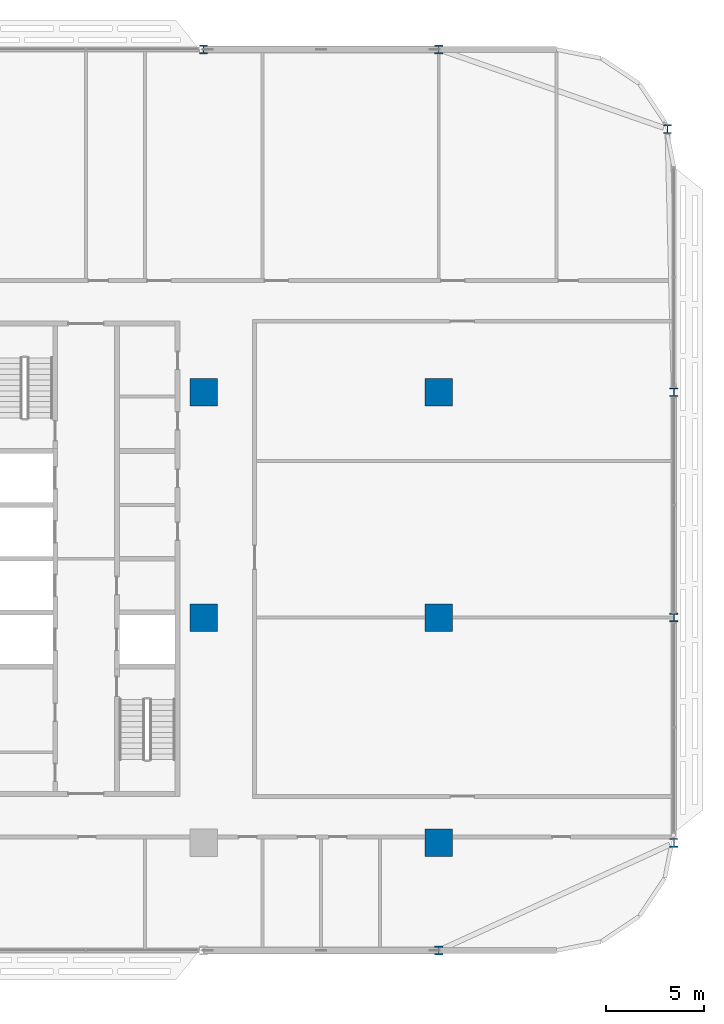
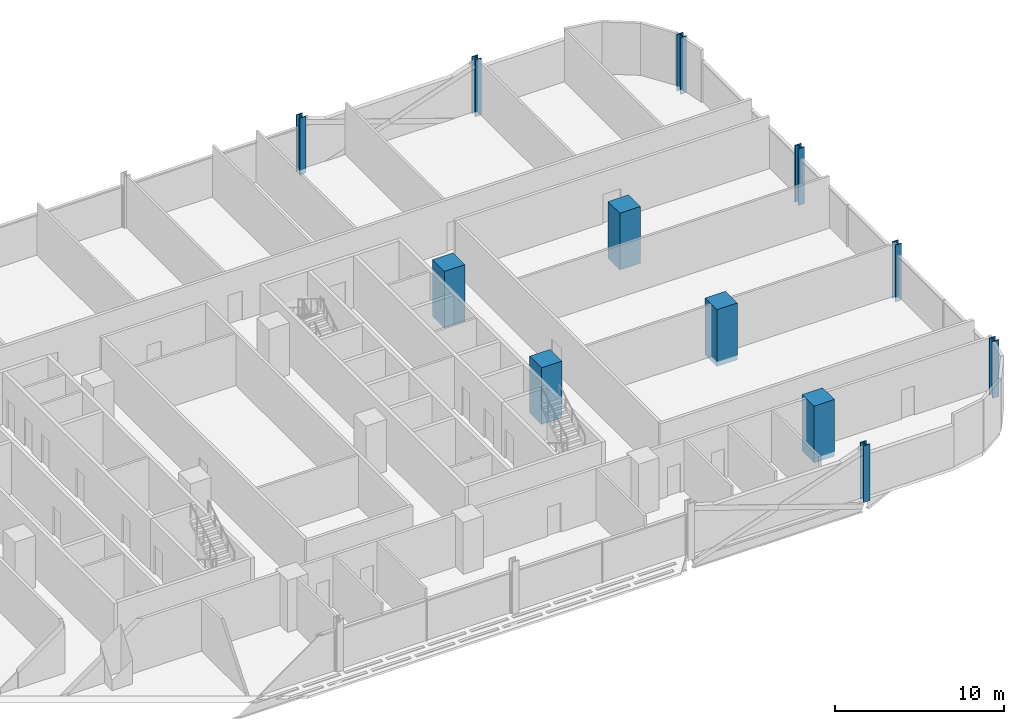
# One storey, part 2 of 29: 12 columns.
"""IFC4 building model written with IfcOpenShell, lengths in metres."""

import ifcopenshell
import ifcopenshell.guid

model = None  # the IFC model being written
_history = None  # IfcOwnerHistory: only IFC2X3 demands one
_inside = {}  # id of a spatial element -> (the spatial element, [elements in it])
_under = {}  # id of a project, library or spatial element -> (it, [spatial elements below it])
_declared = {}  # id of a project -> (the project, [libraries it declares])
_typed = {}  # id of a type object -> (the type object, [elements of that type])
_made_of = {}  # id of a material, layer set ... -> (it, [elements and type objects made of it])


def new_model(schema):
    """Start an empty IFC model of exactly this schema.

    Asked for "IFC4X3", IfcOpenShell would pick the latest addendum, in which some entities
    have other attributes; the version numbers below select the first issue.
    IFC2X3 requires an IfcOwnerHistory on every rooted entity: one is made here for all.
    """
    global model, _history
    if schema == "IFC4X3":
        model = ifcopenshell.file(schema_version=(4, 3, 0, 0))
    else:
        model = ifcopenshell.file(schema=schema)
    _inside.clear()
    _under.clear()
    _declared.clear()
    _typed.clear()
    _made_of.clear()
    _history = None
    if model.schema == "IFC2X3":
        org = make("IfcOrganization", Name="unknown")
        user = make(
            "IfcPersonAndOrganization",
            ThePerson=make("IfcPerson", FamilyName="unknown"),
            TheOrganization=org,
        )
        app = make(
            "IfcApplication",
            ApplicationDeveloper=org,
            Version="unknown",
            ApplicationFullName="unknown",
            ApplicationIdentifier="unknown",
        )
        _history = make(
            "IfcOwnerHistory",
            OwningUser=user,
            OwningApplication=app,
            ChangeAction="ADDED",
            CreationDate=0,
        )
    return model


def make(cls, **values):
    """One entity of the class cls with the attributes given. An attribute that is None is left unset."""
    return model.create_entity(
        cls, **{name: value for name, value in values.items() if value is not None}
    )


def rooted(cls, **values):
    """An entity with a GlobalId (a new one), such as an element, a storey or a relation."""
    return make(cls, GlobalId=ifcopenshell.guid.new(), OwnerHistory=_history, **values)


def si_unit(unit_type, name, prefix=None):
    """IfcSIUnit, for example si_unit("LENGTHUNIT", "METRE", prefix="MILLI")."""
    return make("IfcSIUnit", UnitType=unit_type, Prefix=prefix, Name=name)


def assignment(units):
    """IfcUnitAssignment: the units of a project."""
    return None if units is None else make("IfcUnitAssignment", Units=units)


def point(xyz):
    """IfcCartesianPoint."""
    return None if xyz is None else make("IfcCartesianPoint", Coordinates=xyz)


def direction(xyz):
    """IfcDirection."""
    return None if xyz is None else make("IfcDirection", DirectionRatios=xyz)


def frame(location, z_axis=None, x_axis=None):
    """IfcAxis2Placement3D, a coordinate frame: its origin and axes. An axis left out is left unset."""
    return make(
        "IfcAxis2Placement3D",
        Location=point(location),
        Axis=direction(z_axis),
        RefDirection=direction(x_axis),
    )


def frame_2d(location, x_axis=None):
    """IfcAxis2Placement2D, a coordinate frame in the plane: its origin and x axis."""
    return make(
        "IfcAxis2Placement2D", Location=point(location), RefDirection=direction(x_axis)
    )


def origin():
    """The frame at (0, 0, 0) with its axes left unset."""
    return frame((0.0, 0.0, 0.0))


def origin_2d():
    """The frame at (0, 0) in the plane with its x axis left unset."""
    return frame_2d((0.0, 0.0))


def place(relative_to, where):
    """IfcLocalPlacement: puts the frame where relative to a parent placement (None: the world)."""
    return make(
        "IfcLocalPlacement", PlacementRelTo=relative_to, RelativePlacement=where
    )


def context(
    kind, dimensions, precision=None, world=None, true_north=None, identifier=None
):
    """IfcGeometricRepresentationContext, for example the 3D "Model" context."""
    return make(
        "IfcGeometricRepresentationContext",
        ContextIdentifier=identifier,
        ContextType=kind,
        CoordinateSpaceDimension=dimensions,
        Precision=precision,
        WorldCoordinateSystem=world,
        TrueNorth=true_north,
    )


def subcontext(parent, identifier, kind, view, scale=None):
    """IfcGeometricRepresentationSubContext, for example "Body" below "Model"."""
    return make(
        "IfcGeometricRepresentationSubContext",
        ContextIdentifier=identifier,
        ContextType=kind,
        ParentContext=parent,
        TargetScale=scale,
        TargetView=view,
    )


def project(units=None, contexts=None):
    """IfcProject with its units and contexts."""
    return rooted(
        "IfcProject",
        Name="project",
        RepresentationContexts=contexts,
        UnitsInContext=assignment(units),
    )


def spatial(cls, under=None, at=None, **own):
    """A site, building, storey or space (cls), placed at a placement, below another one or the project."""
    s = rooted(cls, ObjectPlacement=at, **own)
    if under is not None:
        _under.setdefault(under.id(), (under, []))[1].append(s)
    return s


def profile(cls, at=None, kind="AREA", **sizes):
    """A parametric profile (cls). Its sizes go by their IFC names, for example OverallWidth=200.0."""
    return make(cls, ProfileType=kind, Position=at, **sizes)


def rectangle(**sizes):
    """IfcRectangleProfileDef."""
    return profile("IfcRectangleProfileDef", **sizes)


def i_section(**sizes):
    """IfcIShapeProfileDef."""
    return profile("IfcIShapeProfileDef", **sizes)


def extrude(swept, where, along, depth):
    """IfcExtrudedAreaSolid: the profile swept, set in the frame where, extruded along a direction by depth."""
    return make(
        "IfcExtrudedAreaSolid",
        SweptArea=swept,
        Position=where,
        ExtrudedDirection=direction(along),
        Depth=depth,
    )


def shape(context_of_items, identifier, shape_type, items):
    """IfcShapeRepresentation: the items that make up one representation, for example the "Body"."""
    return make(
        "IfcShapeRepresentation",
        ContextOfItems=context_of_items,
        RepresentationIdentifier=identifier,
        RepresentationType=shape_type,
        Items=items,
    )


def material(Name=None, Category=None):
    """IfcMaterial."""
    return make("IfcMaterial", Name=Name, Category=Category)


def material_profile(
    of_material, cross_section, Name=None, Category=None, Priority=None
):
    """IfcMaterialProfile: a cross section and its material."""
    return make(
        "IfcMaterialProfile",
        Name=Name,
        Material=of_material,
        Profile=cross_section,
        Priority=Priority,
        Category=Category,
    )


def profile_set(profiles, Name=None, composite=None):
    """IfcMaterialProfileSet."""
    return make(
        "IfcMaterialProfileSet",
        Name=Name,
        MaterialProfiles=profiles,
        CompositeProfile=composite,
    )


def made_of(thing, what):
    """Note that an element or type object is made of a material, layer set ...; save() writes the relation."""
    if what is not None:
        _made_of.setdefault(what.id(), (what, []))[1].append(thing)
    return thing


def type_object(cls, material=None, **own):
    """A type object (cls), such as IfcWallType, which elements share."""
    return made_of(rooted(cls, **own), material)


def element(
    cls,
    number,
    at=None,
    inside=None,
    cuts=None,
    type_object=None,
    material=None,
    context=None,
    identifier="Body",
    shape_type=None,
    held_by="IfcProductDefinitionShape",
    body=None,
    shapes=None,
    **own,
):
    """One element of the class cls, such as IfcWall. Its Tag is "e" and its number.

    at: its placement. inside: the storey or other place that contains it. cuts: it is an
    opening in that element (IfcRelVoidsElement). A single representation is given by context,
    identifier, shape_type and body (its items); several are given by shapes. held_by: the class
    of the entity that holds the representations. save() writes the other relations.
    """
    e = rooted(cls, Tag="e%d" % number, ObjectPlacement=at, **own)
    if body is not None:
        shapes = [shape(context, identifier, shape_type, body)]
    if shapes is not None:
        e.Representation = make(held_by, Representations=shapes)
    if inside is not None:
        _inside.setdefault(inside.id(), (inside, []))[1].append(e)
    if cuts is not None:
        rooted(
            "IfcRelVoidsElement", RelatingBuildingElement=cuts, RelatedOpeningElement=e
        )
    if type_object is not None:
        _typed.setdefault(type_object.id(), (type_object, []))[1].append(e)
    return made_of(e, material)


def aggregate(whole, parts):
    """IfcRelAggregates: a whole, such as a stair, and the parts it consists of."""
    return rooted("IfcRelAggregates", RelatingObject=whole, RelatedObjects=parts)


def save(model, path):
    """Write the relations noted so far, then the file.

    IfcRelAggregates (storeys below a building ...), IfcRelContainedInSpatialStructure (elements
    in a storey), IfcRelDefinesByType, IfcRelAssociatesMaterial and IfcRelDeclares: one each for
    every whole, place, type object, material and project.
    """
    for whole, parts in _under.values():
        aggregate(whole, parts)
    for where, things in _inside.values():
        rooted(
            "IfcRelContainedInSpatialStructure",
            RelatedElements=things,
            RelatingStructure=where,
        )
    for kind, things in _typed.values():
        rooted("IfcRelDefinesByType", RelatedObjects=things, RelatingType=kind)
    for what, things in _made_of.values():
        rooted("IfcRelAssociatesMaterial", RelatedObjects=things, RelatingMaterial=what)
    for by, libraries in _declared.values():
        rooted("IfcRelDeclares", RelatingContext=by, RelatedDefinitions=libraries)
    model.write(path)


model = new_model("IFC4")

# Units and contexts
model_context = context("Model", 3, precision=1e-05, world=origin(), true_north=direction((0.0, 1.0)))
body_context = subcontext(model_context, "Body", "Model", "MODEL_VIEW")
ifc_project = project(units=[si_unit("LENGTHUNIT", "METRE"), si_unit("AREAUNIT", "SQUARE_METRE"), si_unit("VOLUMEUNIT", "CUBIC_METRE"), si_unit("PLANEANGLEUNIT", "RADIAN"), si_unit("MASSUNIT", "GRAM", prefix="KILO")], contexts=[model_context])

# Site, building, storey
site_placement = place(None, origin())
site = spatial("IfcSite", under=ifc_project, at=site_placement, CompositionType="ELEMENT")
building_placement = place(site_placement, origin())
building = spatial("IfcBuilding", under=site, at=building_placement, Name="Mahtab Terrace Research Tower", CompositionType="ELEMENT")
storey_placement = place(building_placement, frame((0.0, 0.0, 105.300048828125)))
storey = spatial("IfcBuildingStorey", under=building, at=storey_placement, Name="L24", CompositionType="ELEMENT", Elevation=105.300048828125)

# Columns
ifc_material_1 = material(Name="Concrete C70/85", Category="concrete")
ifc_material_profile_1 = material_profile(ifc_material_1, rectangle(XDim=1.39990234375, YDim=1.39990234375, at=origin_2d()), Name="RC column 1400x1400")
ifc_profile_set_1 = profile_set([ifc_material_profile_1], Name="Concrete C70/85")
column_type_1 = type_object("IfcColumnType", Name="RC column 1400x1400", PredefinedType="COLUMN", material=ifc_profile_set_1)
for number, where, z_axis, x_axis, name in (
    (1, (30.0, 0.0, -0.340087890625), (0.0, 0.0, 1.0), (1.0, 0.0, 0.0), "Column RC-7B L24"),
    (2, (30.0, 11.5, -0.340087890625), (0.0, 0.0, 1.0), (1.0, 0.0, 0.0), "Column RC-7C L24"),
    (3, (42.0, -11.5, -0.340087890625), (0.0, 0.0, 1.0), (1.0, 0.0, 0.0), "Column RC-8A L24"),
    (4, (42.0, 0.0, -0.340087890625), (0.0, 0.0, 1.0), (1.0, 0.0, 0.0), "Column RC-8B L24"),
    (5, (42.0, 11.5, -0.340087890625), (0.0, 0.0, 1.0), (1.0, 0.0, 0.0), "Column RC-8C L24"),
):
    element("IfcColumn", number, at=place(storey_placement, frame(where, z_axis=z_axis, x_axis=x_axis)), inside=storey, type_object=column_type_1, Name=name, PredefinedType="COLUMN", context=body_context, shape_type="SweptSolid", body=[
        extrude(rectangle(XDim=1.39990234375, YDim=1.39990234375, at=origin_2d()), origin(), (0.0, 0.0, 1.0), 4.10009765625),
    ])
ifc_material_2 = material(Name="Steel ASTM A992 Gr 50", Category="steel")
ifc_material_profile_2 = material_profile(ifc_material_2, i_section(OverallWidth=0.419189453125, OverallDepth=0.45458984375, WebThickness=0.042236328125, FlangeThickness=0.067626953125, at=origin_2d()), Name="W14X370")
ifc_profile_set_2 = profile_set([ifc_material_profile_2], Name="Steel ASTM A992 Gr 50")
column_type_2 = type_object("IfcColumnType", Name="W14x370 column CS14370", PredefinedType="COLUMN", material=ifc_profile_set_2)
for number, where, z_axis, x_axis, name in (
    (6, (53.681884765625, 24.927001953125, -0.340087890625), (0.0, 0.0, 1.0), (1.0, 0.0, 0.0), "Column SC-030 L24"),
    (7, (42.0, 29.0, -0.340087890625), (0.0, 0.0, 1.0), (1.0, 0.0, 0.0), "Column SC-031 L24"),
    (8, (30.0, 29.0, -0.340087890625), (0.0, 0.0, 1.0), (1.0, 0.0, 0.0), "Column SC-032 L24"),
    (9, (42.0, -17.0, -0.340087890625), (0.0, 0.0, 1.0), (1.0, 0.0, 0.0), "Column SC-045 L24"),
    (10, (54.0, -11.5, -0.340087890625), (0.0, 0.0, 1.0), (1.0, 0.0, 0.0), "Column SC-027 L24"),
    (11, (54.0, 0.0, -0.340087890625), (0.0, 0.0, 1.0), (1.0, 0.0, 0.0), "Column SC-028 L24"),
    (12, (54.0, 11.5, -0.340087890625), (0.0, 0.0, 1.0), (1.0, 0.0, 0.0), "Column SC-029 L24"),
):
    element("IfcColumn", number, at=place(storey_placement, frame(where, z_axis=z_axis, x_axis=x_axis)), inside=storey, type_object=column_type_2, Name=name, PredefinedType="COLUMN", context=body_context, shape_type="SweptSolid", body=[
        extrude(i_section(OverallWidth=0.419189453125, OverallDepth=0.45458984375, WebThickness=0.042236328125, FlangeThickness=0.067626953125, at=origin_2d()), origin(), (0.0, 0.0, 1.0), 4.10009765625),
    ])

save(model, "model.ifc")
